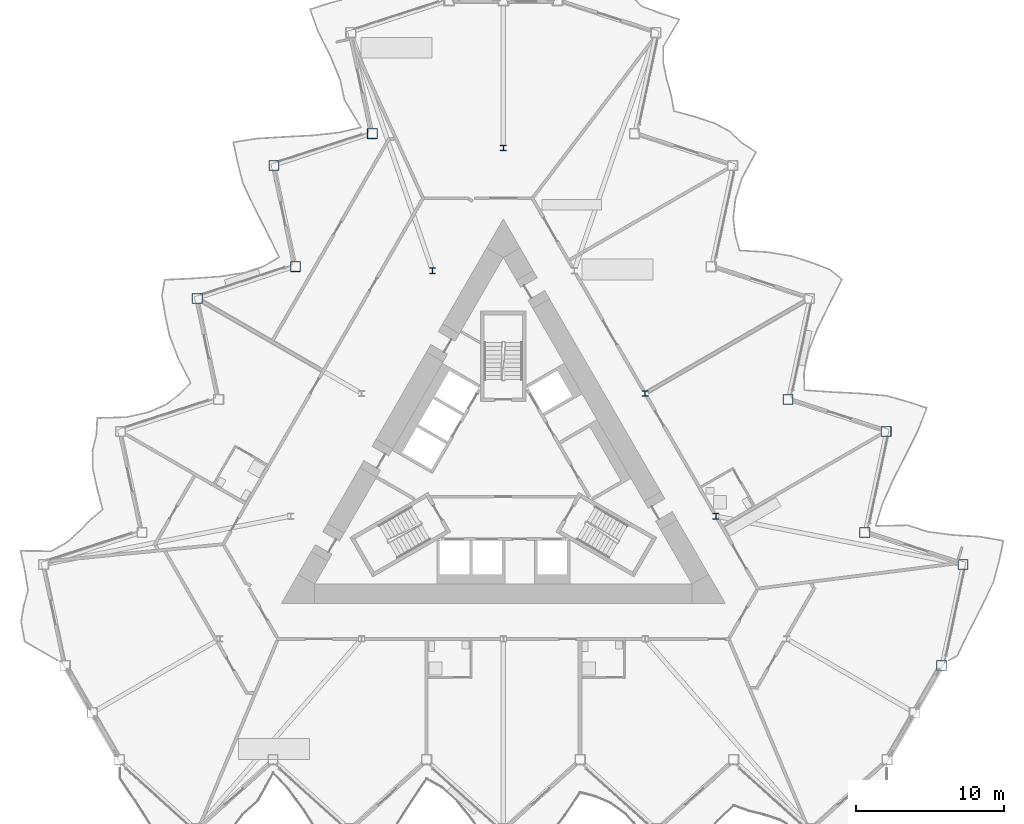
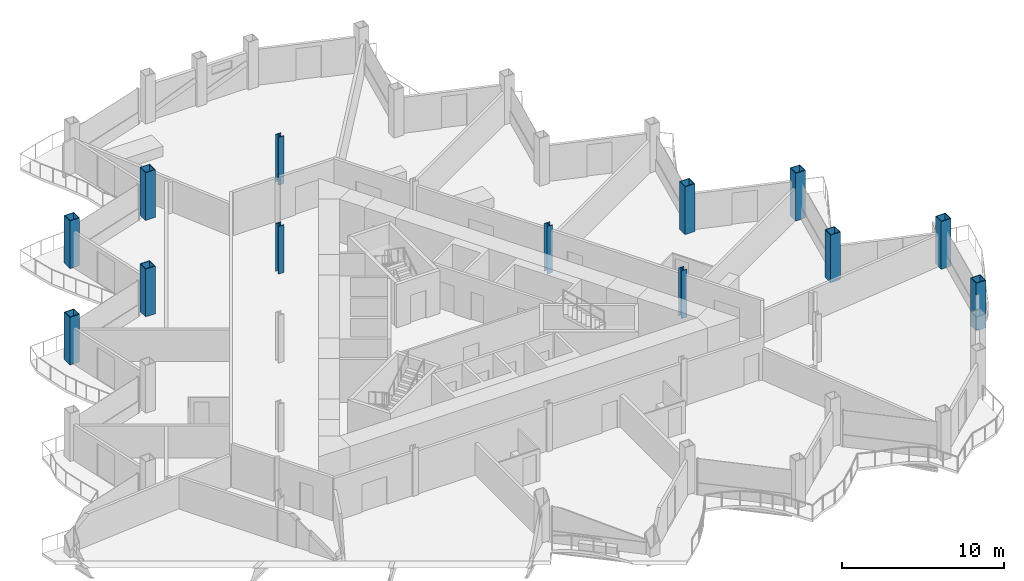
# One storey, part 2 of 23: 13 columns.
"""IFC4 building model written with IfcOpenShell, lengths in metres."""

from ifc_helpers import new_model, si_unit, direction, frame, origin, origin_2d, place, context, subcontext, project, spatial, hollow_rectangle, i_section, extrude, material, material_profile, profile_set, type_object, element, save


model = new_model("IFC4")

# Units and contexts
model_context = context("Model", 3, precision=1e-05, world=origin(), true_north=direction((0.0, 1.0)))
body_context = subcontext(model_context, "Body", "Model", "MODEL_VIEW")
ifc_project = project(units=[si_unit("LENGTHUNIT", "METRE"), si_unit("AREAUNIT", "SQUARE_METRE"), si_unit("VOLUMEUNIT", "CUBIC_METRE"), si_unit("PLANEANGLEUNIT", "RADIAN"), si_unit("MASSUNIT", "GRAM", prefix="KILO")], contexts=[model_context])

# Site, building, storey
site_placement = place(None, origin())
site = spatial("IfcSite", under=ifc_project, at=site_placement, CompositionType="ELEMENT")
building_placement = place(site_placement, origin())
building = spatial("IfcBuilding", under=site, at=building_placement, Name="Cormorant Prow Tower", CompositionType="ELEMENT")
storey_placement = place(building_placement, frame((0.0, 0.0, 267.0)))
storey = spatial("IfcBuildingStorey", under=building, at=storey_placement, Name="L60", CompositionType="ELEMENT", Elevation=267.0)

# Columns
ifc_material_1 = material(Name="Structural steel ASTM A572 Gr 50", Category="steel")
ifc_material_profile_1 = material_profile(ifc_material_1, hollow_rectangle(XDim=0.699951171875, YDim=0.699951171875, WallThickness=0.044921875, at=origin_2d()), Name="Box 700x700x45")
ifc_profile_set_1 = profile_set([ifc_material_profile_1], Name="Structural steel ASTM A572 Gr 50")
column_type_1 = type_object("IfcColumnType", Name="Perimeter box column 700x700x45", PredefinedType="COLUMN", material=ifc_profile_set_1)
for number, where, z_axis, x_axis, name in (
    (1, (29.611572265625, -12.858154296875, 0.0), (0.0, 0.0, 1.0), (1.0, 0.0, 0.0), "Perimeter column C5 at ENE00 L60"),
    (2, (31.063232421875, -6.029052734375, 0.0), (0.0, 0.0, 1.0), (1.0, 0.0, 0.0), "Perimeter column C5 at ENE01 L60"),
    (3, (24.42333984375, -3.871826171875, 0.0), (0.0, 0.0, 1.0), (1.0, 0.0, 0.0), "Perimeter column C5 at ENE02 L60"),
    (4, (25.875, 2.957275390625, 0.0), (0.0, 0.0, 1.0), (1.0, 0.0, 0.0), "Perimeter column C5 at ENE03 L60"),
    (5, (19.235107421875, 5.114501953125, 0.0), (0.0, 0.0, 1.0), (1.0, 0.0, 0.0), "Perimeter column C5 at ENE04 L60"),
    (6, (-8.858642578125, 23.087158203125, 0.0), (0.0, 0.0, 1.0), (1.0, 0.0, 0.0), "Perimeter column C5 at WNW02 L60"),
    (7, (-15.49853515625, 20.9296875, 0.0), (0.0, 0.0, 1.0), (1.0, 0.0, 0.0), "Perimeter column C5 at WNW03 L60"),
    (8, (-14.046875, 14.100830078125, 0.0), (0.0, 0.0, 1.0), (1.0, 0.0, 0.0), "Perimeter column C5 at WNW04 L60"),
    (9, (-20.686767578125, 11.943359375, 0.0), (0.0, 0.0, 1.0), (1.0, 0.0, 0.0), "Perimeter column C5 at WNW05 L60"),
):
    element("IfcColumn", number, at=place(storey_placement, frame(where, z_axis=z_axis, x_axis=x_axis)), inside=storey, type_object=column_type_1, Name=name, PredefinedType="COLUMN", context=body_context, shape_type="SweptSolid", body=[
        extrude(hollow_rectangle(XDim=0.699951171875, YDim=0.699951171875, WallThickness=0.044921875, at=origin_2d()), origin(), (0.0, 0.0, 1.0), 3.60009765625),
    ])
ifc_material_2 = material(Name="Structural steel ASTM A992 Gr 50", Category="steel")
ifc_material_profile_2 = material_profile(ifc_material_2, i_section(OverallWidth=0.39892578125, OverallDepth=0.393310546875, WebThickness=0.022705078125, FlangeThickness=0.03662109375, at=origin_2d()), Name="W14x193")
ifc_profile_set_2 = profile_set([ifc_material_profile_2], Name="Structural steel ASTM A992 Gr 50")
column_type_2 = type_object("IfcColumnType", Name="Ring column W14x193", PredefinedType="COLUMN", material=ifc_profile_set_2)
for number, where, z_axis, x_axis, name in (
    (10, (0.0, 22.12060546875, 0.0), (0.0, 0.0, 1.0), (1.0, 0.0, 0.0), "Ring column 1 L60"),
    (11, (-4.789306640625, 13.8251953125, 0.0), (0.0, 0.0, 1.0), (1.0, 0.0, 0.0), "Ring column 2 L60"),
    (12, (14.36767578125, -2.76513671875, 0.0), (0.0, 0.0, 1.0), (1.0, 0.0, 0.0), "Ring column 10 L60"),
    (13, (9.578369140625, 5.530029296875, 0.0), (0.0, 0.0, 1.0), (1.0, 0.0, 0.0), "Ring column 11 L60"),
):
    element("IfcColumn", number, at=place(storey_placement, frame(where, z_axis=z_axis, x_axis=x_axis)), inside=storey, type_object=column_type_2, Name=name, PredefinedType="COLUMN", context=body_context, shape_type="SweptSolid", body=[
        extrude(i_section(OverallWidth=0.39892578125, OverallDepth=0.393310546875, WebThickness=0.022705078125, FlangeThickness=0.03662109375, at=origin_2d()), origin(), (0.0, 0.0, 1.0), 3.60009765625),
    ])

save(model, "model.ifc")
